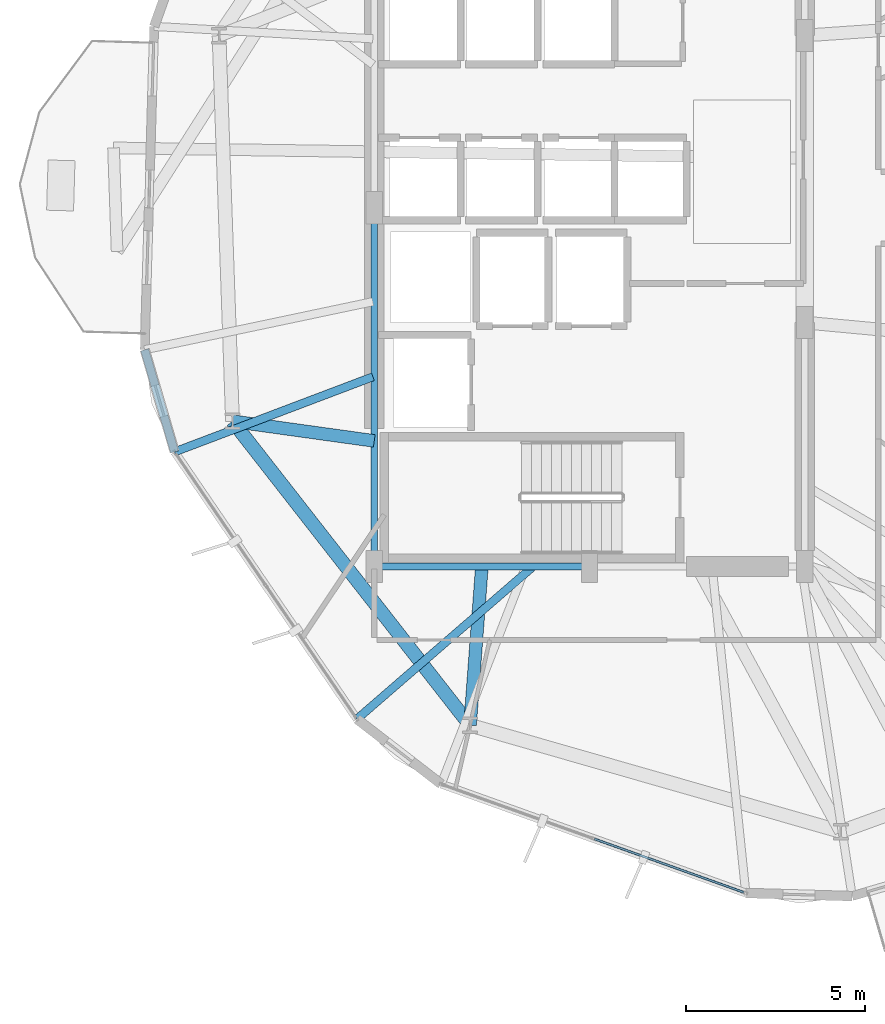
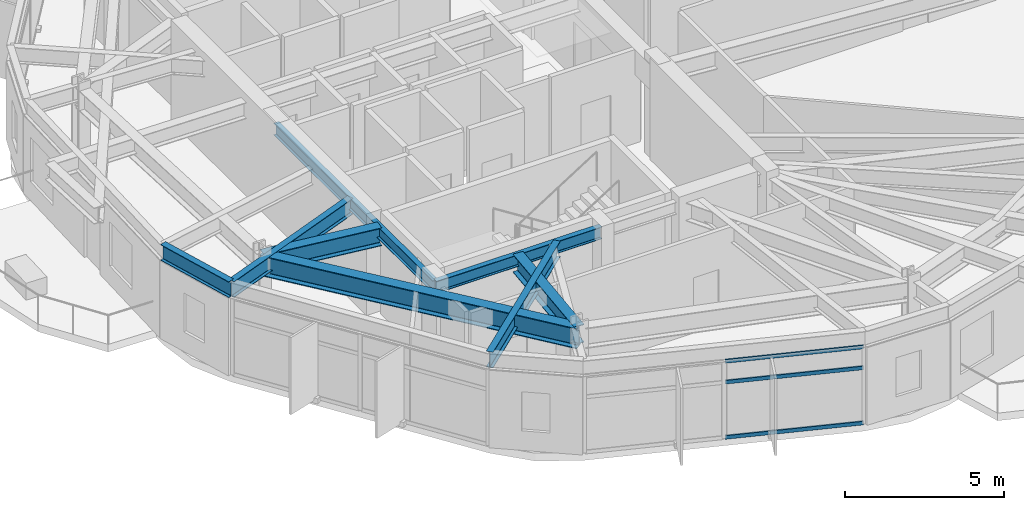
# One storey, part 3 of 24: 8 beams, 3 members, 1 element without a shape of its own.
"""IFC4 building model written with IfcOpenShell, lengths in metres."""

from ifc_helpers import new_model, si_unit, direction, frame, origin, origin_2d, place, context, subcontext, project, spatial, hollow_rectangle, i_section, extrude, material, layer, layer_set, material_profile, profile_set, type_object, element, aggregate, save


model = new_model("IFC4")

# Units and contexts
model_context = context("Model", 3, precision=1e-05, world=origin(), true_north=direction((0.0, 1.0)))
body_context = subcontext(model_context, "Body", "Model", "MODEL_VIEW")
ifc_project = project(units=[si_unit("LENGTHUNIT", "METRE"), si_unit("AREAUNIT", "SQUARE_METRE"), si_unit("VOLUMEUNIT", "CUBIC_METRE"), si_unit("PLANEANGLEUNIT", "RADIAN"), si_unit("MASSUNIT", "GRAM", prefix="KILO")], contexts=[model_context])

# Site, building, storey
site_placement = place(None, origin())
site = spatial("IfcSite", under=ifc_project, at=site_placement, CompositionType="ELEMENT")
building_placement = place(site_placement, origin())
building = spatial("IfcBuilding", under=site, at=building_placement, Name="Soratama Intermodal Tower", CompositionType="ELEMENT")
storey_placement = place(building_placement, frame((0.0, 0.0, 91.300048828125)))
storey = spatial("IfcBuildingStorey", under=building, at=storey_placement, Name="L21", CompositionType="ELEMENT", Elevation=91.300048828125)

# Beams
ifc_material_1 = material(Name="Structural steel ASTM A992 Grade 50", Category="steel")
ifc_material_profile_1 = material_profile(ifc_material_1, i_section(OverallWidth=0.19091796875, OverallDepth=0.4599609375, WebThickness=0.010009765625, FlangeThickness=0.01611328125, FilletRadius=0.010986328125, at=origin_2d()), Name="W18X55")
ifc_profile_set_1 = profile_set([ifc_material_profile_1], Name="Structural steel ASTM A992 Grade 50")
beam_type_1 = type_object("IfcBeamType", Name="BM-FLR-W18X55", PredefinedType="BEAM", material=ifc_profile_set_1)
beam_1_placement = place(storey_placement, frame((32.60009765625, 15.0, 3.369873046875), z_axis=(1.0, 0.0, 0.0), x_axis=(0.0, 1.0, 0.0)))
element("IfcBeam", 1, at=beam_1_placement, inside=storey, type_object=beam_type_1, Name="BM-L21-CRING-01", PredefinedType="BEAM", context=body_context, shape_type="SweptSolid", body=[
    extrude(i_section(OverallWidth=0.19091796875, OverallDepth=0.4599609375, WebThickness=0.010009765625, FlangeThickness=0.01611328125, FilletRadius=0.010986328125, at=origin_2d()), origin(), (0.0, 0.0, 1.0), 6.0),
])
beam_2_placement = place(storey_placement, frame((32.60009765625, 25.0, 3.369873046875), z_axis=(0.0, -1.0, 0.0), x_axis=(1.0, 0.0, 0.0)))
element("IfcBeam", 2, at=beam_2_placement, inside=storey, type_object=beam_type_1, Name="BM-L21-CRING-09", PredefinedType="BEAM", context=body_context, shape_type="SweptSolid", body=[
    extrude(i_section(OverallWidth=0.19091796875, OverallDepth=0.4599609375, WebThickness=0.010009765625, FlangeThickness=0.01611328125, FilletRadius=0.010986328125, at=origin_2d()), origin(), (0.0, 0.0, 1.0), 10.0),
])
ifc_material_2 = material(Name="Structural steel ASTM A992 Grade 50", Category="steel")
ifc_material_profile_2 = material_profile(ifc_material_2, i_section(OverallWidth=0.35498046875, OverallDepth=0.695068359375, WebThickness=0.015380859375, FlangeThickness=0.02490234375, FilletRadius=0.01611328125, at=origin_2d()), Name="W27X146")
ifc_profile_set_2 = profile_set([ifc_material_profile_2], Name="Structural steel ASTM A992 Grade 50")
beam_type_2 = type_object("IfcBeamType", Name="BM-RING-W27X146", PredefinedType="BEAM", material=ifc_profile_set_2)
beam_3_placement = place(storey_placement, frame((32.60009765625, 18.5, 3.25244140625), z_axis=(-0.990482077962, 0.137641756879, 0.0), x_axis=(-0.137641756879, -0.990482077962, 0.0)))
element("IfcBeam", 3, at=beam_3_placement, inside=storey, type_object=beam_type_2, Name="BM-L21-RAD-06", PredefinedType="BEAM", context=body_context, shape_type="SweptSolid", body=[
    extrude(i_section(OverallWidth=0.35498046875, OverallDepth=0.695068359375, WebThickness=0.015380859375, FlangeThickness=0.02490234375, FilletRadius=0.01611328125, at=origin_2d()), origin(), (0.0, 0.0, 1.0), 3.9892578125),
])
beam_4_placement = place(storey_placement, frame((35.60009765625, 15.0, 3.25244140625), z_axis=(-0.074386442563, -0.997229490721, 0.0), x_axis=(0.997229490721, -0.074386442563, 0.0)))
element("IfcBeam", 4, at=beam_4_placement, inside=storey, type_object=beam_type_2, Name="BM-L21-RAD-07", PredefinedType="BEAM", context=body_context, shape_type="SweptSolid", body=[
    extrude(i_section(OverallWidth=0.35498046875, OverallDepth=0.695068359375, WebThickness=0.015380859375, FlangeThickness=0.02490234375, FilletRadius=0.01611328125, at=origin_2d()), origin(), (0.0, 0.0, 1.0), 4.437255859375),
])
ifc_material_3 = material(Name="Structural steel ASTM A992 Grade 50", Category="steel")
ifc_material_profile_3 = material_profile(ifc_material_3, i_section(OverallWidth=0.382080078125, OverallDepth=0.779052734375, WebThickness=0.01806640625, FlangeThickness=0.030029296875, FilletRadius=0.01806640625, at=origin_2d()), Name="W30X191")
ifc_profile_set_3 = profile_set([ifc_material_profile_3], Name="Structural steel ASTM A992 Grade 50")
beam_type_3 = type_object("IfcBeamType", Name="BM-RING-W30X191", PredefinedType="BEAM", material=ifc_profile_set_3)
beam_5_placement = place(storey_placement, frame((28.64892578125, 19.049072265625, 3.21044921875), z_axis=(0.615683690883, -0.787993396407, 0.0), x_axis=(0.787993396407, 0.615683690883, 0.0)))
element("IfcBeam", 5, at=beam_5_placement, inside=storey, type_object=beam_type_3, Name="BM-L21-RING-06", PredefinedType="BEAM", context=body_context, shape_type="SweptSolid", body=[
    extrude(i_section(OverallWidth=0.382080078125, OverallDepth=0.779052734375, WebThickness=0.01806640625, FlangeThickness=0.030029296875, FilletRadius=0.01806640625, at=origin_2d()), origin(), (0.0, 0.0, 1.0), 10.754150390625),
])
ifc_material_4 = material(Name="Structural steel ASTM A992 Grade 50", Category="steel")
ifc_material_profile_4 = material_profile(ifc_material_4, i_section(OverallWidth=0.22900390625, OverallDepth=0.612060546875, WebThickness=0.011962890625, FlangeThickness=0.01953125, FilletRadius=0.012939453125, at=origin_2d()), Name="W24X84")
ifc_profile_set_4 = profile_set([ifc_material_profile_4], Name="Structural steel ASTM A992 Grade 50")
beam_type_4 = type_object("IfcBeamType", Name="BM-SPN-W24X84", PredefinedType="SPANDREL", material=ifc_profile_set_4)
beam_6_placement = place(storey_placement, frame((26.199951171875, 21.041015625, 3.2939453125), z_axis=(0.281128005591, -0.95967027904, 0.0), x_axis=(0.95967027904, 0.281128005591, 0.0)))
element("IfcBeam", 6, at=beam_6_placement, inside=storey, type_object=beam_type_4, Name="BS-L21-CRN05", PredefinedType="SPANDREL", context=body_context, shape_type="SweptSolid", body=[
    extrude(i_section(OverallWidth=0.22900390625, OverallDepth=0.612060546875, WebThickness=0.011962890625, FlangeThickness=0.01953125, FilletRadius=0.012939453125, at=origin_2d()), origin(), (0.0, 0.0, 1.0), 2.966552734375),
])
ifc_material_5 = material(Name="Structural steel ASTM A992 Grade 50", Category="steel")
ifc_material_profile_5 = material_profile(ifc_material_5, i_section(OverallWidth=0.22900390625, OverallDepth=0.612060546875, WebThickness=0.011962890625, FlangeThickness=0.01953125, FilletRadius=0.012939453125, at=origin_2d()), Name="W24X84")
ifc_profile_set_5 = profile_set([ifc_material_profile_5], Name="Structural steel ASTM A992 Grade 50")
beam_type_5 = type_object("IfcBeamType", Name="BM-TIE-W24X84", PredefinedType="BEAM", material=ifc_profile_set_5)
beam_7_placement = place(storey_placement, frame((32.56298828125, 20.2880859375, 3.2939453125), z_axis=(-0.935178718726, -0.354176176558, 0.0), x_axis=(0.354176176558, -0.935178718726, 0.0)))
element("IfcBeam", 7, at=beam_7_placement, inside=storey, type_object=beam_type_5, Name="BM-L21-TIE0-06", PredefinedType="BEAM", context=body_context, shape_type="SweptSolid", body=[
    extrude(i_section(OverallWidth=0.22900390625, OverallDepth=0.612060546875, WebThickness=0.011962890625, FlangeThickness=0.01953125, FilletRadius=0.012939453125, at=origin_2d()), origin(), (0.0, 0.0, 1.0), 5.912353515625),
])
beam_8_placement = place(storey_placement, frame((36.9990234375, 14.97412109375, 3.2939453125), z_axis=(-0.755937289217, -0.654644036688, 0.0), x_axis=(0.654644036688, -0.755937289217, 0.0)))
element("IfcBeam", 8, at=beam_8_placement, inside=storey, type_object=beam_type_5, Name="BM-L21-TIE1-06", PredefinedType="BEAM", context=body_context, shape_type="SweptSolid", body=[
    extrude(i_section(OverallWidth=0.22900390625, OverallDepth=0.612060546875, WebThickness=0.011962890625, FlangeThickness=0.01953125, FilletRadius=0.012939453125, at=origin_2d()), origin(), (0.0, 0.0, 1.0), 6.45703125),
])

# Curtain wall, members
ifc_material_6 = material(Name="Double-glazed aluminium curtain wall", Category="aluminium")
ifc_layer = layer(ifc_material_6, 0.159912109375)
ifc_layer_set = layer_set([ifc_layer], Name="Double-glazed aluminium curtain wall")
curtain_wall_type = type_object("IfcCurtainWallType", Name="CW-SYS-3", PredefinedType="NOTDEFINED", material=ifc_layer_set)
curtain_wall_placement = place(storey_placement, origin())
curtain_wall = element("IfcCurtainWall", 9, at=curtain_wall_placement, inside=storey, type_object=curtain_wall_type, Name="L21 Faceted Curtain Wall F07", PredefinedType="NOTDEFINED")
ifc_material_7 = material(Name="Anodised aluminium AA 6063-T6", Category="aluminium")
ifc_material_profile_6 = material_profile(ifc_material_7, hollow_rectangle(XDim=0.06494140625, YDim=0.14990234375, WallThickness=0.0048828125, InnerFilletRadius=0.0048828125, OuterFilletRadius=0.010009765625, at=origin_2d()), Name="CWT150X65X5")
ifc_profile_set_6 = profile_set([ifc_material_profile_6], Name="Anodised aluminium AA 6063-T6")
member_type = type_object("IfcMemberType", Name="TT-CWT-1", PredefinedType="USERDEFINED", material=ifc_profile_set_6)
member_1_placement = place(storey_placement, frame((38.739013671875, 7.4052734375, 0.030029296875), z_axis=(0.941603068504, -0.33672490461, 0.0), x_axis=(0.33672490461, 0.941603068504, 0.0)))
member_1 = element("IfcMember", 10, at=member_1_placement, type_object=member_type, Name="CW-3 transom 2.1", ObjectType="TRANSOM", PredefinedType="USERDEFINED", context=body_context, shape_type="SweptSolid", body=[
    extrude(hollow_rectangle(XDim=0.06494140625, YDim=0.14990234375, WallThickness=0.0048828125, InnerFilletRadius=0.0048828125, OuterFilletRadius=0.010009765625, at=origin_2d()), origin(), (0.0, 0.0, 1.0), 4.41845703125),
])
member_2_placement = place(storey_placement, frame((38.739013671875, 7.4052734375, 2.14990234375), z_axis=(0.941603068504, -0.33672490461, 0.0), x_axis=(0.33672490461, 0.941603068504, 0.0)))
member_2 = element("IfcMember", 11, at=member_2_placement, type_object=member_type, Name="CW-3 transom 2.2", ObjectType="TRANSOM", PredefinedType="USERDEFINED", context=body_context, shape_type="SweptSolid", body=[
    extrude(hollow_rectangle(XDim=0.06494140625, YDim=0.14990234375, WallThickness=0.0048828125, InnerFilletRadius=0.0048828125, OuterFilletRadius=0.010009765625, at=origin_2d()), origin(), (0.0, 0.0, 1.0), 4.41845703125),
])
member_3_placement = place(storey_placement, frame((38.739013671875, 7.4052734375, 2.948974609375), z_axis=(0.941603068504, -0.33672490461, 0.0), x_axis=(0.33672490461, 0.941603068504, 0.0)))
member_3 = element("IfcMember", 12, at=member_3_placement, type_object=member_type, Name="CW-3 transom 2.3", ObjectType="TRANSOM", PredefinedType="USERDEFINED", context=body_context, shape_type="SweptSolid", body=[
    extrude(hollow_rectangle(XDim=0.06494140625, YDim=0.14990234375, WallThickness=0.0048828125, InnerFilletRadius=0.0048828125, OuterFilletRadius=0.010009765625, at=origin_2d()), origin(), (0.0, 0.0, 1.0), 4.41845703125),
])
aggregate(curtain_wall, [member_1, member_2, member_3])

save(model, "model.ifc")
